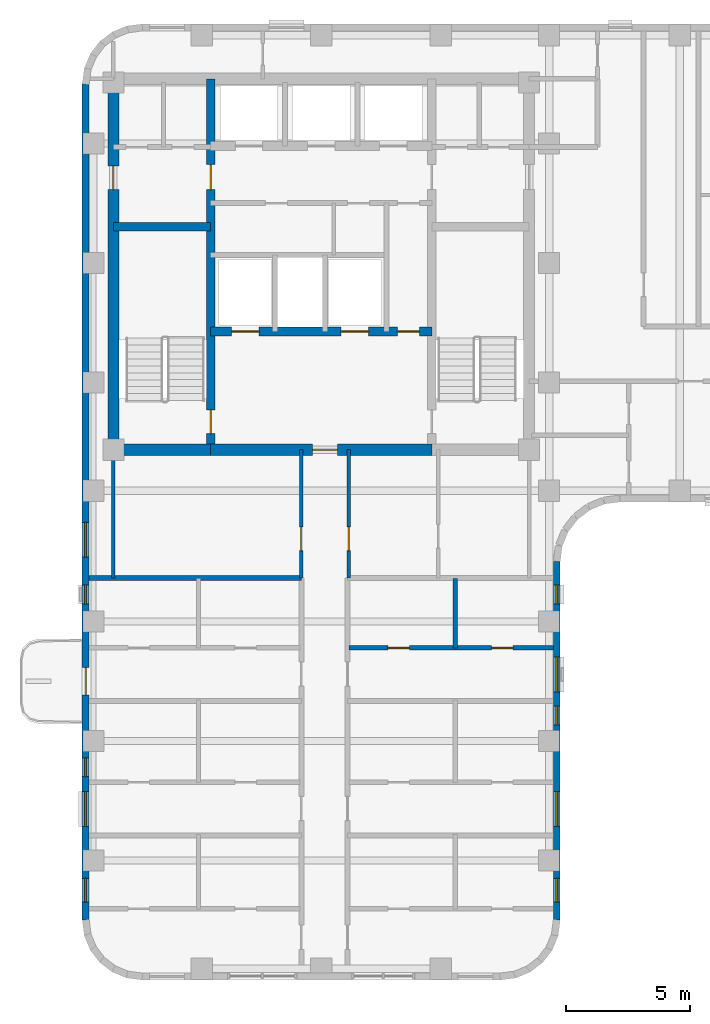
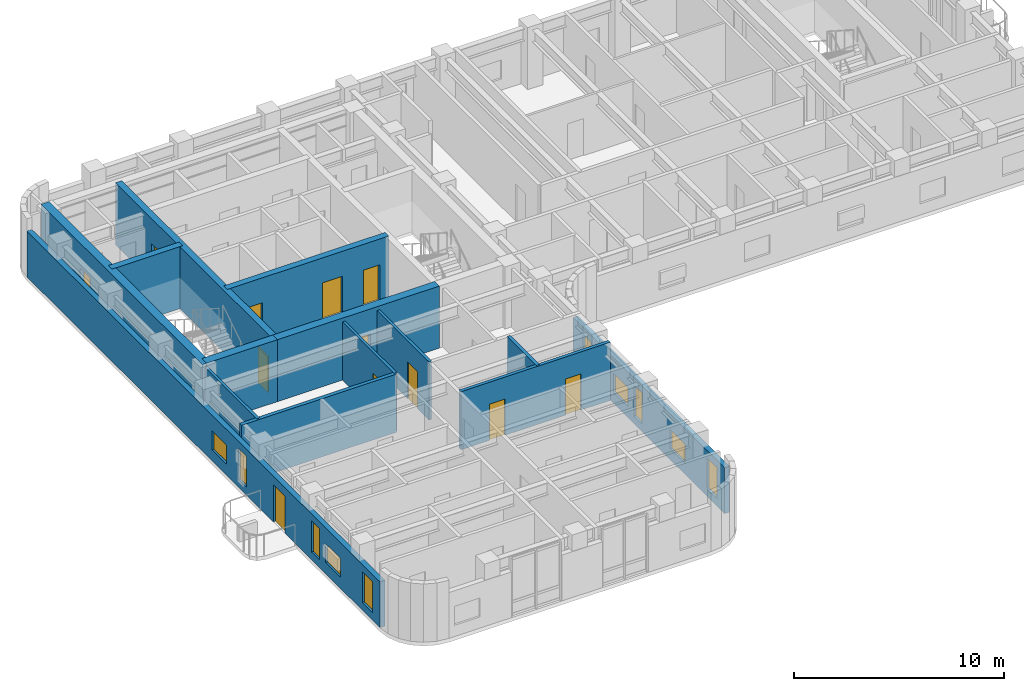
# One storey, part 5 of 12: 14 walls, 12 doors, 10 windows, 22 openings.
"""IFC4 building model written with IfcOpenShell, lengths in metres."""

import ifcopenshell
import ifcopenshell.guid

model = None  # the IFC model being written
_history = None  # IfcOwnerHistory: only IFC2X3 demands one
_inside = {}  # id of a spatial element -> (the spatial element, [elements in it])
_under = {}  # id of a project, library or spatial element -> (it, [spatial elements below it])
_declared = {}  # id of a project -> (the project, [libraries it declares])
_typed = {}  # id of a type object -> (the type object, [elements of that type])
_made_of = {}  # id of a material, layer set ... -> (it, [elements and type objects made of it])


def new_model(schema):
    """Start an empty IFC model of exactly this schema.

    Asked for "IFC4X3", IfcOpenShell would pick the latest addendum, in which some entities
    have other attributes; the version numbers below select the first issue.
    IFC2X3 requires an IfcOwnerHistory on every rooted entity: one is made here for all.
    """
    global model, _history
    if schema == "IFC4X3":
        model = ifcopenshell.file(schema_version=(4, 3, 0, 0))
    else:
        model = ifcopenshell.file(schema=schema)
    _inside.clear()
    _under.clear()
    _declared.clear()
    _typed.clear()
    _made_of.clear()
    _history = None
    if model.schema == "IFC2X3":
        org = make("IfcOrganization", Name="unknown")
        user = make(
            "IfcPersonAndOrganization",
            ThePerson=make("IfcPerson", FamilyName="unknown"),
            TheOrganization=org,
        )
        app = make(
            "IfcApplication",
            ApplicationDeveloper=org,
            Version="unknown",
            ApplicationFullName="unknown",
            ApplicationIdentifier="unknown",
        )
        _history = make(
            "IfcOwnerHistory",
            OwningUser=user,
            OwningApplication=app,
            ChangeAction="ADDED",
            CreationDate=0,
        )
    return model


def make(cls, **values):
    """One entity of the class cls with the attributes given. An attribute that is None is left unset."""
    return model.create_entity(
        cls, **{name: value for name, value in values.items() if value is not None}
    )


def rooted(cls, **values):
    """An entity with a GlobalId (a new one), such as an element, a storey or a relation."""
    return make(cls, GlobalId=ifcopenshell.guid.new(), OwnerHistory=_history, **values)


def si_unit(unit_type, name, prefix=None):
    """IfcSIUnit, for example si_unit("LENGTHUNIT", "METRE", prefix="MILLI")."""
    return make("IfcSIUnit", UnitType=unit_type, Prefix=prefix, Name=name)


def assignment(units):
    """IfcUnitAssignment: the units of a project."""
    return None if units is None else make("IfcUnitAssignment", Units=units)


def point(xyz):
    """IfcCartesianPoint."""
    return None if xyz is None else make("IfcCartesianPoint", Coordinates=xyz)


def direction(xyz):
    """IfcDirection."""
    return None if xyz is None else make("IfcDirection", DirectionRatios=xyz)


def frame(location, z_axis=None, x_axis=None):
    """IfcAxis2Placement3D, a coordinate frame: its origin and axes. An axis left out is left unset."""
    return make(
        "IfcAxis2Placement3D",
        Location=point(location),
        Axis=direction(z_axis),
        RefDirection=direction(x_axis),
    )


def frame_2d(location, x_axis=None):
    """IfcAxis2Placement2D, a coordinate frame in the plane: its origin and x axis."""
    return make(
        "IfcAxis2Placement2D", Location=point(location), RefDirection=direction(x_axis)
    )


def origin():
    """The frame at (0, 0, 0) with its axes left unset."""
    return frame((0.0, 0.0, 0.0))


def place(relative_to, where):
    """IfcLocalPlacement: puts the frame where relative to a parent placement (None: the world)."""
    return make(
        "IfcLocalPlacement", PlacementRelTo=relative_to, RelativePlacement=where
    )


def context(
    kind, dimensions, precision=None, world=None, true_north=None, identifier=None
):
    """IfcGeometricRepresentationContext, for example the 3D "Model" context."""
    return make(
        "IfcGeometricRepresentationContext",
        ContextIdentifier=identifier,
        ContextType=kind,
        CoordinateSpaceDimension=dimensions,
        Precision=precision,
        WorldCoordinateSystem=world,
        TrueNorth=true_north,
    )


def subcontext(parent, identifier, kind, view, scale=None):
    """IfcGeometricRepresentationSubContext, for example "Body" below "Model"."""
    return make(
        "IfcGeometricRepresentationSubContext",
        ContextIdentifier=identifier,
        ContextType=kind,
        ParentContext=parent,
        TargetScale=scale,
        TargetView=view,
    )


def project(units=None, contexts=None):
    """IfcProject with its units and contexts."""
    return rooted(
        "IfcProject",
        Name="project",
        RepresentationContexts=contexts,
        UnitsInContext=assignment(units),
    )


def spatial(cls, under=None, at=None, **own):
    """A site, building, storey or space (cls), placed at a placement, below another one or the project."""
    s = rooted(cls, ObjectPlacement=at, **own)
    if under is not None:
        _under.setdefault(under.id(), (under, []))[1].append(s)
    return s


def profile(cls, at=None, kind="AREA", **sizes):
    """A parametric profile (cls). Its sizes go by their IFC names, for example OverallWidth=200.0."""
    return make(cls, ProfileType=kind, Position=at, **sizes)


def rectangle(**sizes):
    """IfcRectangleProfileDef."""
    return profile("IfcRectangleProfileDef", **sizes)


def extrude(swept, where, along, depth):
    """IfcExtrudedAreaSolid: the profile swept, set in the frame where, extruded along a direction by depth."""
    return make(
        "IfcExtrudedAreaSolid",
        SweptArea=swept,
        Position=where,
        ExtrudedDirection=direction(along),
        Depth=depth,
    )


def shape(context_of_items, identifier, shape_type, items):
    """IfcShapeRepresentation: the items that make up one representation, for example the "Body"."""
    return make(
        "IfcShapeRepresentation",
        ContextOfItems=context_of_items,
        RepresentationIdentifier=identifier,
        RepresentationType=shape_type,
        Items=items,
    )


def material(Name=None, Category=None):
    """IfcMaterial."""
    return make("IfcMaterial", Name=Name, Category=Category)


def layer(
    of_material, thickness, ventilated=None, Name=None, Category=None, Priority=None
):
    """IfcMaterialLayer: one layer of a wall or slab, of a material (None: an air gap)."""
    return make(
        "IfcMaterialLayer",
        Material=of_material,
        LayerThickness=thickness,
        IsVentilated=ventilated,
        Name=Name,
        Category=Category,
        Priority=Priority,
    )


def layer_set(layers, Name=None):
    """IfcMaterialLayerSet."""
    return make("IfcMaterialLayerSet", MaterialLayers=layers, LayerSetName=Name)


def made_of(thing, what):
    """Note that an element or type object is made of a material, layer set ...; save() writes the relation."""
    if what is not None:
        _made_of.setdefault(what.id(), (what, []))[1].append(thing)
    return thing


def type_object(cls, material=None, **own):
    """A type object (cls), such as IfcWallType, which elements share."""
    return made_of(rooted(cls, **own), material)


def element(
    cls,
    number,
    at=None,
    inside=None,
    cuts=None,
    type_object=None,
    material=None,
    context=None,
    identifier="Body",
    shape_type=None,
    held_by="IfcProductDefinitionShape",
    body=None,
    shapes=None,
    **own,
):
    """One element of the class cls, such as IfcWall. Its Tag is "e" and its number.

    at: its placement. inside: the storey or other place that contains it. cuts: it is an
    opening in that element (IfcRelVoidsElement). A single representation is given by context,
    identifier, shape_type and body (its items); several are given by shapes. held_by: the class
    of the entity that holds the representations. save() writes the other relations.
    """
    e = rooted(cls, Tag="e%d" % number, ObjectPlacement=at, **own)
    if body is not None:
        shapes = [shape(context, identifier, shape_type, body)]
    if shapes is not None:
        e.Representation = make(held_by, Representations=shapes)
    if inside is not None:
        _inside.setdefault(inside.id(), (inside, []))[1].append(e)
    if cuts is not None:
        rooted(
            "IfcRelVoidsElement", RelatingBuildingElement=cuts, RelatedOpeningElement=e
        )
    if type_object is not None:
        _typed.setdefault(type_object.id(), (type_object, []))[1].append(e)
    return made_of(e, material)


def fill(opening, filler):
    """IfcRelFillsElement: the door or window that sits in an opening."""
    return rooted(
        "IfcRelFillsElement",
        RelatingOpeningElement=opening,
        RelatedBuildingElement=filler,
    )


def aggregate(whole, parts):
    """IfcRelAggregates: a whole, such as a stair, and the parts it consists of."""
    return rooted("IfcRelAggregates", RelatingObject=whole, RelatedObjects=parts)


def save(model, path):
    """Write the relations noted so far, then the file.

    IfcRelAggregates (storeys below a building ...), IfcRelContainedInSpatialStructure (elements
    in a storey), IfcRelDefinesByType, IfcRelAssociatesMaterial and IfcRelDeclares: one each for
    every whole, place, type object, material and project.
    """
    for whole, parts in _under.values():
        aggregate(whole, parts)
    for where, things in _inside.values():
        rooted(
            "IfcRelContainedInSpatialStructure",
            RelatedElements=things,
            RelatingStructure=where,
        )
    for kind, things in _typed.values():
        rooted("IfcRelDefinesByType", RelatedObjects=things, RelatingType=kind)
    for what, things in _made_of.values():
        rooted("IfcRelAssociatesMaterial", RelatedObjects=things, RelatingMaterial=what)
    for by, libraries in _declared.values():
        rooted("IfcRelDeclares", RelatingContext=by, RelatedDefinitions=libraries)
    model.write(path)


model = new_model("IFC4")

# Units and contexts
model_context = context("Model", 3, precision=1e-05, world=origin(), true_north=direction((0.0, 1.0)))
body_context = subcontext(model_context, "Body", "Model", "MODEL_VIEW")
ifc_project = project(units=[si_unit("LENGTHUNIT", "METRE"), si_unit("AREAUNIT", "SQUARE_METRE"), si_unit("VOLUMEUNIT", "CUBIC_METRE"), si_unit("PLANEANGLEUNIT", "RADIAN"), si_unit("MASSUNIT", "GRAM", prefix="KILO")], contexts=[model_context])

# Site, building, storey
site_placement = place(None, origin())
site = spatial("IfcSite", under=ifc_project, at=site_placement, CompositionType="ELEMENT")
building_placement = place(site_placement, origin())
building = spatial("IfcBuilding", under=site, at=building_placement, Name="Orvandelia Arch Residences", CompositionType="ELEMENT")
storey_placement = place(building_placement, frame((0.0, 0.0, 214.60009765625)))
storey = spatial("IfcBuildingStorey", under=building, at=storey_placement, Name="L56", CompositionType="ELEMENT", Elevation=214.60009765625)

# Wall, openings, doors
ifc_material_1 = material(Name="Concrete C50/60", Category="concrete")
ifc_layer_1 = layer(ifc_material_1, 0.35009765625, Name="Concrete C50/60", Category="concrete")
ifc_layer_set_1 = layer_set([ifc_layer_1], Name="Concrete C50/60")
wall_type_1 = type_object("IfcWallType", Name="WL-CORE-350", PredefinedType="SHEAR", material=ifc_layer_set_1)
wall_1_placement = place(storey_placement, frame((9.9599609375, 30.89990234375, 0.0), z_axis=(0.0, 0.0, 1.0), x_axis=(0.0, 1.0, 0.0)))
wall_1 = element("IfcWall", 1, at=wall_1_placement, inside=storey, type_object=wall_type_1, Name="Core Shear Wall L56-WEB1", PredefinedType="SHEAR", context=body_context, shape_type="SweptSolid", body=[
    extrude(rectangle(XDim=14.900146484375, YDim=0.35009765625, at=frame_2d((7.4501953125, 0.0))), origin(), (0.0, 0.0, 1.0), 3.599853515625),
])
opening_1_placement = place(wall_1_placement, frame((0.64990234375, 0.0, 0.0)))
opening_1 = element("IfcOpeningElement", 2, at=opening_1_placement, cuts=wall_1, Name="Opening D7", PredefinedType="OPENING", context=body_context, shape_type="SweptSolid", body=[
    extrude(rectangle(XDim=0.949951171875, YDim=2.10009765625, at=frame_2d((0.47509765625, 1.050048828125))), frame((0.0, 0.18505859375, 0.0), z_axis=(0.0, -1.0, 0.0), x_axis=(1.0, 0.0, 0.0)), (0.0, 0.0, 1.0), 0.3701171875),
])
opening_2_placement = place(wall_1_placement, frame((10.449951171875, 0.0, 0.0)))
opening_2 = element("IfcOpeningElement", 3, at=opening_2_placement, cuts=wall_1, Name="Opening D6", PredefinedType="OPENING", context=body_context, shape_type="SweptSolid", body=[
    extrude(rectangle(XDim=1.0, YDim=2.14990234375, at=frame_2d((0.5, 1.074951171875))), frame((0.0, 0.18505859375, 0.0), z_axis=(0.0, -1.0, 0.0), x_axis=(1.0, 0.0, 0.0)), (0.0, 0.0, 1.0), 0.3701171875),
])
ifc_material_2 = material(Name="Smokeproof Painted Steel Fire Door", Category="steel")
door_type_1 = type_object("IfcDoorType", Name="DR-FD60-1000", OperationType="NOTDEFINED", PredefinedType="DOOR", material=ifc_material_2)
door_1_placement = place(opening_2_placement, origin())
door_1 = element("IfcDoor", 4, at=door_1_placement, inside=storey, type_object=door_type_1, Name="High-Rise Lift Hall West Vestibule Door L56", OperationType="SINGLE_SWING_LEFT", OverallHeight=2.14990234375, OverallWidth=1.0, PredefinedType="DOOR", context=body_context, shape_type="SweptSolid", body=[
    extrude(rectangle(XDim=1.0, YDim=2.14990234375, at=frame_2d((0.5, 1.074951171875))), frame((0.0, 0.02490234375, 0.0), z_axis=(0.0, -1.0, 0.0), x_axis=(1.0, 0.0, 0.0)), (0.0, 0.0, 1.0), 0.050048828125),
])
fill(opening_2, door_1)
ifc_material_3 = material(Name="Pressurised Stairwell Fire Door")
door_type_2 = type_object("IfcDoorType", Name="DR-STAIR-950", OperationType="NOTDEFINED", PredefinedType="DOOR", material=ifc_material_3)
door_2_placement = place(opening_1_placement, origin())
door_2 = element("IfcDoor", 5, at=door_2_placement, inside=storey, type_object=door_type_2, Name="Stairwell ST-1 Fire Door L56", OperationType="SINGLE_SWING_LEFT", OverallHeight=2.10009765625, OverallWidth=0.949951171875, PredefinedType="DOOR", context=body_context, shape_type="SweptSolid", body=[
    extrude(rectangle(XDim=0.949951171875, YDim=2.10009765625, at=frame_2d((0.47509765625, 1.050048828125))), frame((0.0, 0.02490234375, 0.0), z_axis=(0.0, -1.0, 0.0), x_axis=(1.0, 0.0, 0.0)), (0.0, 0.0, 1.0), 0.050048828125),
])
fill(opening_1, door_2)

# Wall
wall_2_placement = place(storey_placement, frame((6.050048828125, 39.85009765625, 0.0), z_axis=(0.0, 0.0, 1.0), x_axis=(1.0, 0.0, 0.0)))
element("IfcWall", 6, at=wall_2_placement, inside=storey, type_object=wall_type_1, Name="Core Shear Wall L56-HZ1", PredefinedType="SHEAR", context=body_context, shape_type="SweptSolid", body=[
    extrude(rectangle(XDim=3.909912109375, YDim=0.35009765625, at=frame_2d((1.955078125, 0.0))), origin(), (0.0, 0.0, 1.0), 3.599853515625),
])

# Wall, openings, doors
wall_3_placement = place(storey_placement, frame((9.9599609375, 35.64990234375, 0.0), z_axis=(0.0, 0.0, 1.0), x_axis=(1.0, 0.0, 0.0)))
wall_3 = element("IfcWall", 7, at=wall_3_placement, inside=storey, type_object=wall_type_1, Name="Core Shear Wall L56-HZ3", PredefinedType="SHEAR", context=body_context, shape_type="SweptSolid", body=[
    extrude(rectangle(XDim=8.880126953125, YDim=0.35009765625, at=frame_2d((4.43994140625, 0.0))), origin(), (0.0, 0.0, 1.0), 3.599853515625),
])
opening_3_placement = place(wall_3_placement, frame((0.840087890625, 0.0, 0.0)))
opening_3 = element("IfcOpeningElement", 8, at=opening_3_placement, cuts=wall_3, Name="Opening FLD", PredefinedType="OPENING", context=body_context, shape_type="SweptSolid", body=[
    extrude(rectangle(XDim=1.10009765625, YDim=2.14990234375, at=frame_2d((0.550048828125, 1.074951171875))), frame((0.0, 0.18505859375, 0.0), z_axis=(0.0, -1.0, 0.0), x_axis=(1.0, 0.0, 0.0)), (0.0, 0.0, 1.0), 0.3701171875),
])
opening_4_placement = place(wall_3_placement, frame((5.239990234375, 0.0, 0.0)))
opening_4 = element("IfcOpeningElement", 9, at=opening_4_placement, cuts=wall_3, Name="Opening FLD", PredefinedType="OPENING", context=body_context, shape_type="SweptSolid", body=[
    extrude(rectangle(XDim=1.10009765625, YDim=2.14990234375, at=frame_2d((0.550048828125, 1.074951171875))), frame((0.0, 0.18505859375, 0.0), z_axis=(0.0, -1.0, 0.0), x_axis=(1.0, 0.0, 0.0)), (0.0, 0.0, 1.0), 0.3701171875),
])
opening_5_placement = place(wall_3_placement, frame((7.5, 0.0, 0.0)))
opening_5 = element("IfcOpeningElement", 10, at=opening_5_placement, cuts=wall_3, Name="Opening D5", PredefinedType="OPENING", context=body_context, shape_type="SweptSolid", body=[
    extrude(rectangle(XDim=0.8798828125, YDim=2.10009765625, at=frame_2d((0.43994140625, 1.050048828125))), frame((0.0, 0.18505859375, 0.0), z_axis=(0.0, -1.0, 0.0), x_axis=(1.0, 0.0, 0.0)), (0.0, 0.0, 1.0), 0.3701171875),
])
ifc_material_4 = material(Name="Firefighting Lift Stainless Sliding Door")
door_type_3 = type_object("IfcDoorType", Name="DR-FLFT-1100", OperationType="NOTDEFINED", PredefinedType="DOOR", material=ifc_material_4)
door_3_placement = place(opening_3_placement, origin())
door_3 = element("IfcDoor", 11, at=door_3_placement, inside=storey, type_object=door_type_3, Name="Firefighting Lift Landing Door FLD-FL1-L56", OperationType="SLIDING_TO_LEFT", OverallHeight=2.14990234375, OverallWidth=1.10009765625, PredefinedType="DOOR", context=body_context, shape_type="SweptSolid", body=[
    extrude(rectangle(XDim=1.10009765625, YDim=2.14990234375, at=frame_2d((0.550048828125, 1.074951171875))), frame((0.0, 0.02490234375, 0.0), z_axis=(0.0, -1.0, 0.0), x_axis=(1.0, 0.0, 0.0)), (0.0, 0.0, 1.0), 0.050048828125),
])
fill(opening_3, door_3)
door_4_placement = place(opening_4_placement, origin())
door_4 = element("IfcDoor", 12, at=door_4_placement, inside=storey, type_object=door_type_3, Name="Firefighting Lift Landing Door FLD-FL2-L56", OperationType="SLIDING_TO_RIGHT", OverallHeight=2.14990234375, OverallWidth=1.10009765625, PredefinedType="DOOR", context=body_context, shape_type="SweptSolid", body=[
    extrude(rectangle(XDim=1.10009765625, YDim=2.14990234375, at=frame_2d((0.550048828125, 1.074951171875))), frame((0.0, 0.02490234375, 0.0), z_axis=(0.0, -1.0, 0.0), x_axis=(1.0, 0.0, 0.0)), (0.0, 0.0, 1.0), 0.050048828125),
])
fill(opening_4, door_4)
ifc_material_5 = material(Name="Painted Galvanised Steel Service Door", Category="steel")
door_type_4 = type_object("IfcDoorType", Name="DR-SRV-880", OperationType="NOTDEFINED", PredefinedType="DOOR", material=ifc_material_5)
door_5_placement = place(opening_5_placement, origin())
door_5 = element("IfcDoor", 13, at=door_5_placement, inside=storey, type_object=door_type_4, Name="Core Stairway Passage South Fire Door L56", OperationType="SINGLE_SWING_LEFT", OverallHeight=2.10009765625, OverallWidth=0.8798828125, PredefinedType="DOOR", context=body_context, shape_type="SweptSolid", body=[
    extrude(rectangle(XDim=0.8798828125, YDim=2.10009765625, at=frame_2d((0.43994140625, 1.050048828125))), frame((0.0, 0.02490234375, 0.0), z_axis=(0.0, -1.0, 0.0), x_axis=(1.0, 0.0, 0.0)), (0.0, 0.0, 1.0), 0.050048828125),
])
fill(opening_5, door_5)

# Wall, opening, door
ifc_layer_2 = layer(ifc_material_1, 0.449951171875, Name="Concrete C50/60", Category="concrete")
ifc_layer_set_2 = layer_set([ifc_layer_2], Name="Concrete C50/60")
wall_type_2 = type_object("IfcWallType", Name="WL-CORE-450", PredefinedType="SHEAR", material=ifc_layer_set_2)
wall_4_placement = place(storey_placement, frame((6.050048828125, 30.675048828125, 0.0), z_axis=(0.0, 0.0, 1.0), x_axis=(0.0, 1.0, 0.0)))
wall_4 = element("IfcWall", 14, at=wall_4_placement, inside=storey, type_object=wall_type_2, Name="Core Shear Wall L56-W", PredefinedType="SHEAR", context=body_context, shape_type="SweptSolid", body=[
    extrude(rectangle(XDim=15.349853515625, YDim=0.449951171875, at=frame_2d((7.6748046875, 0.0))), origin(), (0.0, 0.0, 1.0), 3.599853515625),
])
opening_6_placement = place(wall_4_placement, frame((10.675048828125, 0.0, 0.0)))
opening_6 = element("IfcOpeningElement", 15, at=opening_6_placement, cuts=wall_4, Name="Opening D2", PredefinedType="OPENING", context=body_context, shape_type="SweptSolid", body=[
    extrude(rectangle(XDim=0.949951171875, YDim=2.14990234375, at=frame_2d((0.47509765625, 1.074951171875))), frame((0.0, 0.23486328125, 0.0), z_axis=(0.0, -1.0, 0.0), x_axis=(1.0, 0.0, 0.0)), (0.0, 0.0, 1.0), 0.469970703125),
])
ifc_material_6 = material(Name="Solid-Core Timber Interior Fire Door", Category="wood")
door_type_5 = type_object("IfcDoorType", Name="DR-APT-950", OperationType="NOTDEFINED", PredefinedType="DOOR", material=ifc_material_6)
door_6_placement = place(opening_6_placement, origin())
door_6 = element("IfcDoor", 16, at=door_6_placement, inside=storey, type_object=door_type_5, Name="West Viewing Study Door L56", OperationType="SINGLE_SWING_RIGHT", OverallHeight=2.14990234375, OverallWidth=0.949951171875, PredefinedType="DOOR", context=body_context, shape_type="SweptSolid", body=[
    extrude(rectangle(XDim=0.949951171875, YDim=2.14990234375, at=frame_2d((0.47509765625, 1.074951171875))), frame((0.0, 0.02490234375, 0.0), z_axis=(0.0, -1.0, 0.0), x_axis=(1.0, 0.0, 0.0)), (0.0, 0.0, 1.0), 0.050048828125),
])
fill(opening_6, door_6)

# Wall
wall_5_placement = place(storey_placement, frame((6.050048828125, 30.89990234375, 0.0), z_axis=(0.0, 0.0, 1.0), x_axis=(1.0, 0.0, 0.0)))
element("IfcWall", 17, at=wall_5_placement, inside=storey, type_object=wall_type_2, Name="Core Shear Wall L56-SW", PredefinedType="SHEAR", context=body_context, shape_type="SweptSolid", body=[
    extrude(rectangle(XDim=3.909912109375, YDim=0.449951171875, at=frame_2d((1.955078125, 0.0))), origin(), (0.0, 0.0, 1.0), 3.599853515625),
])

# Wall, opening, door
wall_6_placement = place(storey_placement, frame((9.9599609375, 30.89990234375, 0.0), z_axis=(0.0, 0.0, 1.0), x_axis=(1.0, 0.0, 0.0)))
wall_6 = element("IfcWall", 18, at=wall_6_placement, inside=storey, type_object=wall_type_2, Name="Core Shear Wall L56-SM", PredefinedType="SHEAR", context=body_context, shape_type="SweptSolid", body=[
    extrude(rectangle(XDim=8.880126953125, YDim=0.449951171875, at=frame_2d((4.43994140625, 0.0))), origin(), (0.0, 0.0, 1.0), 3.599853515625),
])
opening_7_placement = place(wall_6_placement, frame((4.090087890625, 0.0, 0.0)))
opening_7 = element("IfcOpeningElement", 19, at=opening_7_placement, cuts=wall_6, Name="Opening D6", PredefinedType="OPENING", context=body_context, shape_type="SweptSolid", body=[
    extrude(rectangle(XDim=1.0, YDim=2.14990234375, at=frame_2d((0.5, 1.074951171875))), frame((0.0, 0.23486328125, 0.0), z_axis=(0.0, -1.0, 0.0), x_axis=(1.0, 0.0, 0.0)), (0.0, 0.0, 1.0), 0.469970703125),
])
door_7_placement = place(opening_7_placement, origin())
door_7 = element("IfcDoor", 20, at=door_7_placement, inside=storey, type_object=door_type_1, Name="Firefighting Lobby Smokeproof Door L56", OperationType="SINGLE_SWING_LEFT", OverallHeight=2.14990234375, OverallWidth=1.0, PredefinedType="DOOR", context=body_context, shape_type="SweptSolid", body=[
    extrude(rectangle(XDim=1.0, YDim=2.14990234375, at=frame_2d((0.5, 1.074951171875))), frame((0.0, 0.02490234375, 0.0), z_axis=(0.0, -1.0, 0.0), x_axis=(1.0, 0.0, 0.0)), (0.0, 0.0, 1.0), 0.050048828125),
])
fill(opening_7, door_7)

# Wall
ifc_material_7 = material(Name="Fire-Rated Corridor Partition")
ifc_layer_3 = layer(ifc_material_7, 0.199951171875, Name="Fire-Rated Corridor Partition")
ifc_layer_set_3 = layer_set([ifc_layer_3], Name="Fire-Rated Corridor Partition")
wall_type_3 = type_object("IfcWallType", Name="WL-CORR-200", PredefinedType="PARTITIONING", material=ifc_layer_set_3)
wall_7_placement = place(storey_placement, frame((5.080078125, 25.75, 0.0), z_axis=(0.0, 0.0, 1.0), x_axis=(1.0, 0.0, 0.0)))
element("IfcWall", 21, at=wall_7_placement, inside=storey, type_object=wall_type_3, Name="Interior Partition Wall WL-L56-WCLS-W", PredefinedType="PARTITIONING", context=body_context, shape_type="SweptSolid", body=[
    extrude(rectangle(XDim=8.52001953125, YDim=0.199951171875, at=frame_2d((4.260009765625, 0.0))), origin(), (0.0, 0.0, 1.0), 3.3798828125),
])

# Wall, openings, windows
ifc_material_8 = material(Name="Precast concrete C40/50", Category="concrete")
ifc_layer_4 = layer(ifc_material_8, 0.280029296875, Name="Precast concrete C40/50", Category="concrete")
ifc_layer_set_4 = layer_set([ifc_layer_4], Name="Precast concrete C40/50")
wall_type_4 = type_object("IfcWallType", Name="WL-EXT-STONE-280", PredefinedType="STANDARD", material=ifc_layer_set_4)
wall_8_placement = place(storey_placement, frame((23.860107421875, 26.39990234375, 0.0), z_axis=(0.0, 0.0, 1.0), x_axis=(0.0, -1.0, 0.0)))
wall_8 = element("IfcWall", 22, at=wall_8_placement, inside=storey, type_object=wall_type_4, Name="Coral-Limestone Precast Facade Wall L56-028", PredefinedType="STANDARD", context=body_context, shape_type="SweptSolid", body=[
    extrude(rectangle(XDim=14.39990234375, YDim=0.280029296875, at=frame_2d((7.199951171875, 0.0))), origin(), (0.0, 0.0, 1.0), 2.659912109375),
])
opening_8_placement = place(wall_8_placement, frame((9.22998046875, 0.0, 0.64990234375)))
opening_8 = element("IfcOpeningElement", 23, at=opening_8_placement, cuts=wall_8, Name="Opening W10", PredefinedType="OPENING", context=body_context, shape_type="SweptSolid", body=[
    extrude(rectangle(XDim=1.39990234375, YDim=1.10009765625, at=frame_2d((0.699951171875, 0.550048828125))), frame((0.0, 0.14990234375, 0.0), z_axis=(0.0, -1.0, 0.0), x_axis=(1.0, 0.0, 0.0)), (0.0, 0.0, 1.0), 0.300048828125),
])
opening_9_placement = place(wall_8_placement, frame((3.830078125, 0.0, 0.64990234375)))
opening_9 = element("IfcOpeningElement", 24, at=opening_9_placement, cuts=wall_8, Name="Opening W10", PredefinedType="OPENING", context=body_context, shape_type="SweptSolid", body=[
    extrude(rectangle(XDim=1.39990234375, YDim=1.10009765625, at=frame_2d((0.699951171875, 0.550048828125))), frame((0.0, 0.14990234375, 0.0), z_axis=(0.0, -1.0, 0.0), x_axis=(1.0, 0.0, 0.0)), (0.0, 0.0, 1.0), 0.300048828125),
])
opening_10_placement = place(wall_8_placement, frame((12.718505859375, 0.0, 0.449951171875)))
opening_10 = element("IfcOpeningElement", 25, at=opening_10_placement, cuts=wall_8, Name="Opening W4", PredefinedType="OPENING", context=body_context, shape_type="SweptSolid", body=[
    extrude(rectangle(XDim=0.949951171875, YDim=1.800048828125, at=frame_2d((0.47509765625, 0.89990234375))), frame((0.0, 0.14990234375, 0.0), z_axis=(0.0, -1.0, 0.0), x_axis=(1.0, 0.0, 0.0)), (0.0, 0.0, 1.0), 0.300048828125),
])
opening_11_placement = place(wall_8_placement, frame((5.802490234375, 0.0, 0.449951171875)))
opening_11 = element("IfcOpeningElement", 26, at=opening_11_placement, cuts=wall_8, Name="Opening W11", PredefinedType="OPENING", context=body_context, shape_type="SweptSolid", body=[
    extrude(rectangle(XDim=0.75, YDim=1.800048828125, at=frame_2d((0.375, 0.89990234375))), frame((0.0, 0.14990234375, 0.0), z_axis=(0.0, -1.0, 0.0), x_axis=(1.0, 0.0, 0.0)), (0.0, 0.0, 1.0), 0.300048828125),
])
opening_12_placement = place(wall_8_placement, frame((0.9423828125, 0.0, 0.449951171875)))
opening_12 = element("IfcOpeningElement", 27, at=opening_12_placement, cuts=wall_8, Name="Opening W11", PredefinedType="OPENING", context=body_context, shape_type="SweptSolid", body=[
    extrude(rectangle(XDim=0.75, YDim=1.800048828125, at=frame_2d((0.375, 0.89990234375))), frame((0.0, 0.14990234375, 0.0), z_axis=(0.0, -1.0, 0.0), x_axis=(1.0, 0.0, 0.0)), (0.0, 0.0, 1.0), 0.300048828125),
])
ifc_material_9 = material(Name="Tempered Low-E Insulated Glazing", Category="glass")
window_type_1 = type_object("IfcWindowType", Name="WIN-BED-0750x1800", PartitioningType="SINGLE_PANEL", PredefinedType="WINDOW", material=ifc_material_9)
window_1_placement = place(opening_11_placement, origin())
window_1 = element("IfcWindow", 28, at=window_1_placement, inside=storey, type_object=window_type_1, Name="Recessed Punched Window L56-020", OverallHeight=1.800048828125, OverallWidth=0.75, PartitioningType="SINGLE_PANEL", PredefinedType="WINDOW", context=body_context, shape_type="SweptSolid", body=[
    extrude(rectangle(XDim=0.75, YDim=1.800048828125, at=frame_2d((0.375, 0.89990234375))), frame((0.0, 0.030029296875, 0.0), z_axis=(0.0, -1.0, 0.0), x_axis=(1.0, 0.0, 0.0)), (0.0, 0.0, 1.0), 0.06005859375),
])
fill(opening_11, window_1)
window_2_placement = place(opening_12_placement, origin())
window_2 = element("IfcWindow", 29, at=window_2_placement, inside=storey, type_object=window_type_1, Name="Recessed Punched Window L56-021", OverallHeight=1.800048828125, OverallWidth=0.75, PartitioningType="SINGLE_PANEL", PredefinedType="WINDOW", context=body_context, shape_type="SweptSolid", body=[
    extrude(rectangle(XDim=0.75, YDim=1.800048828125, at=frame_2d((0.375, 0.89990234375))), frame((0.0, 0.030029296875, 0.0), z_axis=(0.0, -1.0, 0.0), x_axis=(1.0, 0.0, 0.0)), (0.0, 0.0, 1.0), 0.06005859375),
])
fill(opening_12, window_2)
window_type_2 = type_object("IfcWindowType", Name="WIN-CLR-1400x1100", PartitioningType="SINGLE_PANEL", PredefinedType="WINDOW", material=ifc_material_9)
window_3_placement = place(opening_8_placement, origin())
window_3 = element("IfcWindow", 30, at=window_3_placement, inside=storey, type_object=window_type_2, Name="Recessed Punched Window L56-017", OverallHeight=1.10009765625, OverallWidth=1.39990234375, PartitioningType="SINGLE_PANEL", PredefinedType="WINDOW", context=body_context, shape_type="SweptSolid", body=[
    extrude(rectangle(XDim=1.39990234375, YDim=1.10009765625, at=frame_2d((0.699951171875, 0.550048828125))), frame((0.0, 0.030029296875, 0.0), z_axis=(0.0, -1.0, 0.0), x_axis=(1.0, 0.0, 0.0)), (0.0, 0.0, 1.0), 0.06005859375),
])
fill(opening_8, window_3)
window_4_placement = place(opening_9_placement, origin())
window_4 = element("IfcWindow", 31, at=window_4_placement, inside=storey, type_object=window_type_2, Name="Recessed Punched Window L56-018", OverallHeight=1.10009765625, OverallWidth=1.39990234375, PartitioningType="SINGLE_PANEL", PredefinedType="WINDOW", context=body_context, shape_type="SweptSolid", body=[
    extrude(rectangle(XDim=1.39990234375, YDim=1.10009765625, at=frame_2d((0.699951171875, 0.550048828125))), frame((0.0, 0.030029296875, 0.0), z_axis=(0.0, -1.0, 0.0), x_axis=(1.0, 0.0, 0.0)), (0.0, 0.0, 1.0), 0.06005859375),
])
fill(opening_9, window_4)
window_type_3 = type_object("IfcWindowType", Name="WIN-RES-0950x1800", PartitioningType="SINGLE_PANEL", PredefinedType="WINDOW", material=ifc_material_9)
window_5_placement = place(opening_10_placement, origin())
window_5 = element("IfcWindow", 32, at=window_5_placement, inside=storey, type_object=window_type_3, Name="Recessed Punched Window L56-019", OverallHeight=1.800048828125, OverallWidth=0.949951171875, PartitioningType="SINGLE_PANEL", PredefinedType="WINDOW", context=body_context, shape_type="SweptSolid", body=[
    extrude(rectangle(XDim=0.949951171875, YDim=1.800048828125, at=frame_2d((0.47509765625, 0.89990234375))), frame((0.0, 0.030029296875, 0.0), z_axis=(0.0, -1.0, 0.0), x_axis=(1.0, 0.0, 0.0)), (0.0, 0.0, 1.0), 0.06005859375),
])
fill(opening_10, window_5)

# Wall, openings, door, windows
wall_9_placement = place(storey_placement, frame((4.93994140625, 12.0, 0.0), z_axis=(0.0, 0.0, 1.0), x_axis=(0.0, 1.0, 0.0)))
wall_9 = element("IfcWall", 33, at=wall_9_placement, inside=storey, type_object=wall_type_4, Name="Coral-Limestone Precast Facade Wall L56-044", PredefinedType="STANDARD", context=body_context, shape_type="SweptSolid", body=[
    extrude(rectangle(XDim=33.60009765625, YDim=0.280029296875, at=frame_2d((16.800048828125, 0.0))), origin(), (0.0, 0.0, 1.0), 2.659912109375),
])
opening_13_placement = place(wall_9_placement, frame((9.050048828125, 0.0, 0.0)))
opening_13 = element("IfcOpeningElement", 34, at=opening_13_placement, cuts=wall_9, Name="Opening BD1", PredefinedType="OPENING", context=body_context, shape_type="SweptSolid", body=[
    extrude(rectangle(XDim=1.10009765625, YDim=2.14990234375, at=frame_2d((0.550048828125, 1.074951171875))), frame((0.0, 0.14990234375, 0.0), z_axis=(0.0, -1.0, 0.0), x_axis=(1.0, 0.0, 0.0)), (0.0, 0.0, 1.0), 0.300048828125),
])
opening_14_placement = place(wall_9_placement, frame((3.77001953125, 0.0, 0.64990234375)))
opening_14 = element("IfcOpeningElement", 35, at=opening_14_placement, cuts=wall_9, Name="Opening W10", PredefinedType="OPENING", context=body_context, shape_type="SweptSolid", body=[
    extrude(rectangle(XDim=1.39990234375, YDim=1.10009765625, at=frame_2d((0.699951171875, 0.550048828125))), frame((0.0, 0.14990234375, 0.0), z_axis=(0.0, -1.0, 0.0), x_axis=(1.0, 0.0, 0.0)), (0.0, 0.0, 1.0), 0.300048828125),
])
opening_15_placement = place(wall_9_placement, frame((0.7314453125, 0.0, 0.449951171875)))
opening_15 = element("IfcOpeningElement", 36, at=opening_15_placement, cuts=wall_9, Name="Opening W4", PredefinedType="OPENING", context=body_context, shape_type="SweptSolid", body=[
    extrude(rectangle(XDim=0.949951171875, YDim=1.800048828125, at=frame_2d((0.47509765625, 0.89990234375))), frame((0.0, 0.14990234375, 0.0), z_axis=(0.0, -1.0, 0.0), x_axis=(1.0, 0.0, 0.0)), (0.0, 0.0, 1.0), 0.300048828125),
])
opening_16_placement = place(wall_9_placement, frame((5.7724609375, 0.0, 0.449951171875)))
opening_16 = element("IfcOpeningElement", 37, at=opening_16_placement, cuts=wall_9, Name="Opening W11", PredefinedType="OPENING", context=body_context, shape_type="SweptSolid", body=[
    extrude(rectangle(XDim=0.75, YDim=1.800048828125, at=frame_2d((0.375, 0.89990234375))), frame((0.0, 0.14990234375, 0.0), z_axis=(0.0, -1.0, 0.0), x_axis=(1.0, 0.0, 0.0)), (0.0, 0.0, 1.0), 0.300048828125),
])
opening_17_placement = place(wall_9_placement, frame((12.70751953125, 0.0, 0.449951171875)))
opening_17 = element("IfcOpeningElement", 38, at=opening_17_placement, cuts=wall_9, Name="Opening W11", PredefinedType="OPENING", context=body_context, shape_type="SweptSolid", body=[
    extrude(rectangle(XDim=0.75, YDim=1.800048828125, at=frame_2d((0.375, 0.89990234375))), frame((0.0, 0.14990234375, 0.0), z_axis=(0.0, -1.0, 0.0), x_axis=(1.0, 0.0, 0.0)), (0.0, 0.0, 1.0), 0.300048828125),
])
opening_18_placement = place(wall_9_placement, frame((14.58251953125, 0.0, 0.64990234375)))
opening_18 = element("IfcOpeningElement", 39, at=opening_18_placement, cuts=wall_9, Name="Opening W10", PredefinedType="OPENING", context=body_context, shape_type="SweptSolid", body=[
    extrude(rectangle(XDim=1.39990234375, YDim=1.10009765625, at=frame_2d((0.699951171875, 0.550048828125))), frame((0.0, 0.14990234375, 0.0), z_axis=(0.0, -1.0, 0.0), x_axis=(1.0, 0.0, 0.0)), (0.0, 0.0, 1.0), 0.300048828125),
])
ifc_material_10 = material(Name="Thermally Broken Aluminium Glazed Door", Category="aluminium")
door_type_6 = type_object("IfcDoorType", Name="DR-BAL-GLAZ-1100", OperationType="NOTDEFINED", PredefinedType="DOOR", material=ifc_material_10)
door_8_placement = place(opening_13_placement, origin())
door_8 = element("IfcDoor", 40, at=door_8_placement, inside=storey, type_object=door_type_6, Name="Tree Balcony Glazed Door BAL-L56-W1", OperationType="SINGLE_SWING_RIGHT", OverallHeight=2.14990234375, OverallWidth=1.10009765625, PredefinedType="DOOR", context=body_context, shape_type="SweptSolid", body=[
    extrude(rectangle(XDim=1.10009765625, YDim=2.14990234375, at=frame_2d((0.550048828125, 1.074951171875))), frame((0.0, 0.02490234375, 0.0), z_axis=(0.0, -1.0, 0.0), x_axis=(1.0, 0.0, 0.0)), (0.0, 0.0, 1.0), 0.050048828125),
])
fill(opening_13, door_8)
window_6_placement = place(opening_16_placement, origin())
window_6 = element("IfcWindow", 41, at=window_6_placement, inside=storey, type_object=window_type_1, Name="Recessed Punched Window L56-026", OverallHeight=1.800048828125, OverallWidth=0.75, PartitioningType="SINGLE_PANEL", PredefinedType="WINDOW", context=body_context, shape_type="SweptSolid", body=[
    extrude(rectangle(XDim=0.75, YDim=1.800048828125, at=frame_2d((0.375, 0.89990234375))), frame((0.0, 0.030029296875, 0.0), z_axis=(0.0, -1.0, 0.0), x_axis=(1.0, 0.0, 0.0)), (0.0, 0.0, 1.0), 0.06005859375),
])
fill(opening_16, window_6)
window_7_placement = place(opening_17_placement, origin())
window_7 = element("IfcWindow", 42, at=window_7_placement, inside=storey, type_object=window_type_1, Name="Recessed Punched Window L56-027", OverallHeight=1.800048828125, OverallWidth=0.75, PartitioningType="SINGLE_PANEL", PredefinedType="WINDOW", context=body_context, shape_type="SweptSolid", body=[
    extrude(rectangle(XDim=0.75, YDim=1.800048828125, at=frame_2d((0.375, 0.89990234375))), frame((0.0, 0.030029296875, 0.0), z_axis=(0.0, -1.0, 0.0), x_axis=(1.0, 0.0, 0.0)), (0.0, 0.0, 1.0), 0.06005859375),
])
fill(opening_17, window_7)
window_8_placement = place(opening_14_placement, origin())
window_8 = element("IfcWindow", 43, at=window_8_placement, inside=storey, type_object=window_type_2, Name="Recessed Punched Window L56-024", OverallHeight=1.10009765625, OverallWidth=1.39990234375, PartitioningType="SINGLE_PANEL", PredefinedType="WINDOW", context=body_context, shape_type="SweptSolid", body=[
    extrude(rectangle(XDim=1.39990234375, YDim=1.10009765625, at=frame_2d((0.699951171875, 0.550048828125))), frame((0.0, 0.030029296875, 0.0), z_axis=(0.0, -1.0, 0.0), x_axis=(1.0, 0.0, 0.0)), (0.0, 0.0, 1.0), 0.06005859375),
])
fill(opening_14, window_8)
window_9_placement = place(opening_18_placement, origin())
window_9 = element("IfcWindow", 44, at=window_9_placement, inside=storey, type_object=window_type_2, Name="Recessed Punched Window L56-028", OverallHeight=1.10009765625, OverallWidth=1.39990234375, PartitioningType="SINGLE_PANEL", PredefinedType="WINDOW", context=body_context, shape_type="SweptSolid", body=[
    extrude(rectangle(XDim=1.39990234375, YDim=1.10009765625, at=frame_2d((0.699951171875, 0.550048828125))), frame((0.0, 0.030029296875, 0.0), z_axis=(0.0, -1.0, 0.0), x_axis=(1.0, 0.0, 0.0)), (0.0, 0.0, 1.0), 0.06005859375),
])
fill(opening_18, window_9)
window_10_placement = place(opening_15_placement, origin())
window_10 = element("IfcWindow", 45, at=window_10_placement, inside=storey, type_object=window_type_3, Name="Recessed Punched Window L56-025", OverallHeight=1.800048828125, OverallWidth=0.949951171875, PartitioningType="SINGLE_PANEL", PredefinedType="WINDOW", context=body_context, shape_type="SweptSolid", body=[
    extrude(rectangle(XDim=0.949951171875, YDim=1.800048828125, at=frame_2d((0.47509765625, 0.89990234375))), frame((0.0, 0.030029296875, 0.0), z_axis=(0.0, -1.0, 0.0), x_axis=(1.0, 0.0, 0.0)), (0.0, 0.0, 1.0), 0.06005859375),
])
fill(opening_15, window_10)

# Wall, opening, door
ifc_material_11 = material(Name="Acoustic Gypsum Stud Partition")
ifc_layer_5 = layer(ifc_material_11, 0.14990234375, Name="Acoustic Gypsum Stud Partition")
ifc_layer_set_5 = layer_set([ifc_layer_5], Name="Acoustic Gypsum Stud Partition")
wall_type_5 = type_object("IfcWallType", Name="WL-PART-150", PredefinedType="PARTITIONING", material=ifc_layer_set_5)
wall_10_placement = place(storey_placement, frame((13.60009765625, 25.75, 0.0), z_axis=(0.0, 0.0, 1.0), x_axis=(0.0, 1.0, 0.0)))
wall_10 = element("IfcWall", 46, at=wall_10_placement, inside=storey, type_object=wall_type_5, Name="Interior Partition Wall WL-L56-HI-W1", PredefinedType="PARTITIONING", context=body_context, shape_type="SweptSolid", body=[
    extrude(rectangle(XDim=5.14990234375, YDim=0.14990234375, at=frame_2d((2.574951171875, 0.0))), origin(), (0.0, 0.0, 1.0), 3.3798828125),
])
opening_19_placement = place(wall_10_placement, frame((1.10009765625, 0.0, 0.0)))
opening_19 = element("IfcOpeningElement", 47, at=opening_19_placement, cuts=wall_10, Name="Opening D2", PredefinedType="OPENING", context=body_context, shape_type="SweptSolid", body=[
    extrude(rectangle(XDim=0.949951171875, YDim=2.14990234375, at=frame_2d((0.47509765625, 1.074951171875))), frame((0.0, 0.0849609375, 0.0), z_axis=(0.0, -1.0, 0.0), x_axis=(1.0, 0.0, 0.0)), (0.0, 0.0, 1.0), 0.169921875),
])
door_9_placement = place(opening_19_placement, origin())
door_9 = element("IfcDoor", 48, at=door_9_placement, inside=storey, type_object=door_type_5, Name="DR-L56-HIR1", OperationType="SINGLE_SWING_LEFT", OverallHeight=2.14990234375, OverallWidth=0.949951171875, PredefinedType="DOOR", context=body_context, shape_type="SweptSolid", body=[
    extrude(rectangle(XDim=0.949951171875, YDim=2.14990234375, at=frame_2d((0.47509765625, 1.074951171875))), frame((0.0, 0.02490234375, 0.0), z_axis=(0.0, -1.0, 0.0), x_axis=(1.0, 0.0, 0.0)), (0.0, 0.0, 1.0), 0.050048828125),
])
fill(opening_19, door_9)

wall_11_placement = place(storey_placement, frame((15.5, 25.75, 0.0), z_axis=(0.0, 0.0, 1.0), x_axis=(0.0, 1.0, 0.0)))
wall_11 = element("IfcWall", 49, at=wall_11_placement, inside=storey, type_object=wall_type_5, Name="Interior Partition Wall WL-L56-HI-W2", PredefinedType="PARTITIONING", context=body_context, shape_type="SweptSolid", body=[
    extrude(rectangle(XDim=5.14990234375, YDim=0.14990234375, at=frame_2d((2.574951171875, 0.0))), origin(), (0.0, 0.0, 1.0), 3.3798828125),
])
opening_20_placement = place(wall_11_placement, frame((1.10009765625, 0.0, 0.0)))
opening_20 = element("IfcOpeningElement", 50, at=opening_20_placement, cuts=wall_11, Name="Opening D2", PredefinedType="OPENING", context=body_context, shape_type="SweptSolid", body=[
    extrude(rectangle(XDim=0.949951171875, YDim=2.14990234375, at=frame_2d((0.47509765625, 1.074951171875))), frame((0.0, 0.0849609375, 0.0), z_axis=(0.0, -1.0, 0.0), x_axis=(1.0, 0.0, 0.0)), (0.0, 0.0, 1.0), 0.169921875),
])
door_10_placement = place(opening_20_placement, origin())
door_10 = element("IfcDoor", 51, at=door_10_placement, inside=storey, type_object=door_type_5, Name="DR-L56-HIR2A", OperationType="SINGLE_SWING_RIGHT", OverallHeight=2.14990234375, OverallWidth=0.949951171875, PredefinedType="DOOR", context=body_context, shape_type="SweptSolid", body=[
    extrude(rectangle(XDim=0.949951171875, YDim=2.14990234375, at=frame_2d((0.47509765625, 1.074951171875))), frame((0.0, 0.02490234375, 0.0), z_axis=(0.0, -1.0, 0.0), x_axis=(1.0, 0.0, 0.0)), (0.0, 0.0, 1.0), 0.050048828125),
])
fill(opening_20, door_10)

# Wall
wall_12_placement = place(storey_placement, frame((6.050048828125, 25.75, 0.0), z_axis=(0.0, 0.0, 1.0), x_axis=(0.0, 1.0, 0.0)))
element("IfcWall", 52, at=wall_12_placement, inside=storey, type_object=wall_type_5, Name="Interior Partition Wall WL-L56-HI-WW", PredefinedType="PARTITIONING", context=body_context, shape_type="SweptSolid", body=[
    extrude(rectangle(XDim=5.14990234375, YDim=0.14990234375, at=frame_2d((2.574951171875, 0.0))), origin(), (0.0, 0.0, 1.0), 3.3798828125),
])

# Wall, openings, doors
ifc_material_12 = material(Name="Moisture-Resistant Plumbing Wall")
ifc_layer_6 = layer(ifc_material_12, 0.179931640625, Name="Moisture-Resistant Plumbing Wall")
ifc_layer_set_6 = layer_set([ifc_layer_6], Name="Moisture-Resistant Plumbing Wall")
wall_type_6 = type_object("IfcWallType", Name="WL-WET-180", PredefinedType="PLUMBINGWALL", material=ifc_layer_set_6)
wall_13_placement = place(storey_placement, frame((15.510009765625, 22.93994140625, 0.0), z_axis=(0.0, 0.0, 1.0), x_axis=(1.0, 0.0, 0.0)))
wall_13 = element("IfcWall", 53, at=wall_13_placement, inside=storey, type_object=wall_type_6, Name="Interior Partition Wall WL-L56-U06-HZ", PredefinedType="PLUMBINGWALL", context=body_context, shape_type="SweptSolid", body=[
    extrude(rectangle(XDim=8.2099609375, YDim=0.179931640625, at=frame_2d((4.10498046875, 0.0))), origin(), (0.0, 0.0, 1.0), 3.3798828125),
])
opening_21_placement = place(wall_13_placement, frame((1.56494140625, 0.0, 0.0)))
opening_21 = element("IfcOpeningElement", 54, at=opening_21_placement, cuts=wall_13, Name="Opening D4", PredefinedType="OPENING", context=body_context, shape_type="SweptSolid", body=[
    extrude(rectangle(XDim=0.860107421875, YDim=2.10009765625, at=frame_2d((0.43017578125, 1.050048828125))), frame((0.0, 0.10009765625, 0.0), z_axis=(0.0, -1.0, 0.0), x_axis=(1.0, 0.0, 0.0)), (0.0, 0.0, 1.0), 0.199951171875),
])
opening_22_placement = place(wall_13_placement, frame((5.72998046875, 0.0, 0.0)))
opening_22 = element("IfcOpeningElement", 55, at=opening_22_placement, cuts=wall_13, Name="Opening D4", PredefinedType="OPENING", context=body_context, shape_type="SweptSolid", body=[
    extrude(rectangle(XDim=0.860107421875, YDim=2.10009765625, at=frame_2d((0.43017578125, 1.050048828125))), frame((0.0, 0.10009765625, 0.0), z_axis=(0.0, -1.0, 0.0), x_axis=(1.0, 0.0, 0.0)), (0.0, 0.0, 1.0), 0.199951171875),
])
ifc_material_13 = material(Name="Moisture-Sealed Timber Bathroom Door", Category="wood")
door_type_7 = type_object("IfcDoorType", Name="DR-WET-900", OperationType="NOTDEFINED", PredefinedType="DOOR", material=ifc_material_13)
door_11_placement = place(opening_21_placement, origin())
door_11 = element("IfcDoor", 56, at=door_11_placement, inside=storey, type_object=door_type_7, Name="DR-L56-U06-KIT", OperationType="SINGLE_SWING_RIGHT", OverallHeight=2.10009765625, OverallWidth=0.860107421875, PredefinedType="DOOR", context=body_context, shape_type="SweptSolid", body=[
    extrude(rectangle(XDim=0.860107421875, YDim=2.10009765625, at=frame_2d((0.43017578125, 1.050048828125))), frame((0.0, 0.02490234375, 0.0), z_axis=(0.0, -1.0, 0.0), x_axis=(1.0, 0.0, 0.0)), (0.0, 0.0, 1.0), 0.050048828125),
])
fill(opening_21, door_11)
door_12_placement = place(opening_22_placement, origin())
door_12 = element("IfcDoor", 57, at=door_12_placement, inside=storey, type_object=door_type_7, Name="DR-L56-U06-BTH", OperationType="SINGLE_SWING_LEFT", OverallHeight=2.10009765625, OverallWidth=0.860107421875, PredefinedType="DOOR", context=body_context, shape_type="SweptSolid", body=[
    extrude(rectangle(XDim=0.860107421875, YDim=2.10009765625, at=frame_2d((0.43017578125, 1.050048828125))), frame((0.0, 0.02490234375, 0.0), z_axis=(0.0, -1.0, 0.0), x_axis=(1.0, 0.0, 0.0)), (0.0, 0.0, 1.0), 0.050048828125),
])
fill(opening_22, door_12)

# Wall
wall_14_placement = place(storey_placement, frame((19.7900390625, 22.93994140625, 0.0), z_axis=(0.0, 0.0, 1.0), x_axis=(0.0, 1.0, 0.0)))
element("IfcWall", 58, at=wall_14_placement, inside=storey, type_object=wall_type_6, Name="Interior Partition Wall WL-L56-U06-V1", PredefinedType="PLUMBINGWALL", context=body_context, shape_type="SweptSolid", body=[
    extrude(rectangle(XDim=2.780029296875, YDim=0.179931640625, at=frame_2d((1.39013671875, 0.0))), origin(), (0.0, 0.0, 1.0), 3.3798828125),
])

save(model, "model.ifc")
